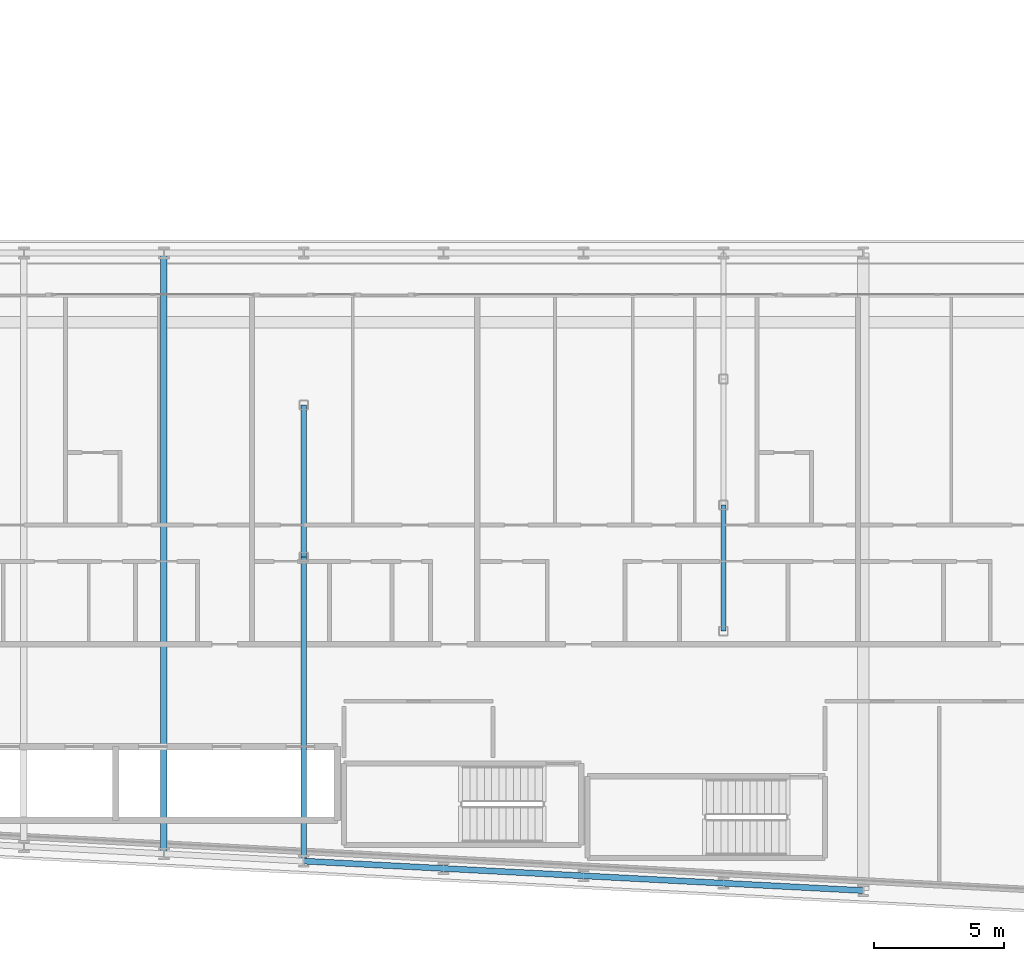
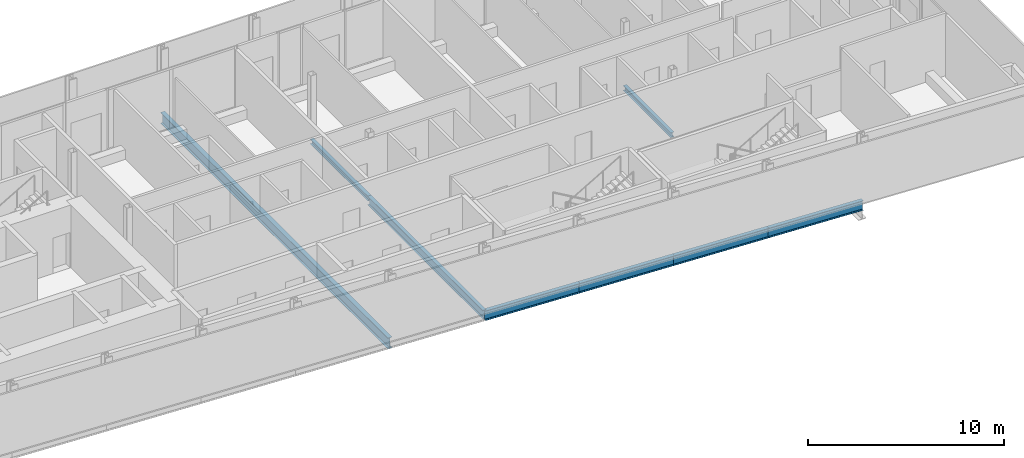
# One storey, part 5 of 25: 8 beams.
"""IFC4 building model written with IfcOpenShell, lengths in metres."""

from ifc_helpers import new_model, si_unit, direction, frame, origin, origin_2d, place, context, subcontext, project, spatial, i_section, extrude, material, material_profile, profile_set, type_object, element, save


model = new_model("IFC4")

# Units and contexts
model_context = context("Model", 3, precision=1e-05, world=origin(), true_north=direction((0.0, 1.0)))
body_context = subcontext(model_context, "Body", "Model", "MODEL_VIEW")
ifc_project = project(units=[si_unit("LENGTHUNIT", "METRE"), si_unit("AREAUNIT", "SQUARE_METRE"), si_unit("VOLUMEUNIT", "CUBIC_METRE"), si_unit("PLANEANGLEUNIT", "RADIAN"), si_unit("MASSUNIT", "GRAM", prefix="KILO")], contexts=[model_context])

# Site, building, storey
site_placement = place(None, origin())
site = spatial("IfcSite", under=ifc_project, at=site_placement, CompositionType="ELEMENT")
building_placement = place(site_placement, origin())
building = spatial("IfcBuilding", under=site, at=building_placement, Name="Kheshtan School and Residences Tower", CompositionType="ELEMENT")
storey_placement = place(building_placement, frame((0.0, 0.0, 113.60009765625)))
storey = spatial("IfcBuildingStorey", under=building, at=storey_placement, Name="L26", CompositionType="ELEMENT", Elevation=113.60009765625)

# Beams
ifc_material = material(Name="Steel ASTM A992 Grade 50", Category="steel")
ifc_material_profile_1 = material_profile(ifc_material, i_section(OverallWidth=0.202880859375, OverallDepth=0.302978515625, WebThickness=0.007568359375, FlangeThickness=0.01318359375, FilletRadius=0.009033203125, at=origin_2d()), Name="W310x60")
ifc_profile_set_1 = profile_set([ifc_material_profile_1], Name="Steel ASTM A992 Grade 50")
beam_type_1 = type_object("IfcBeamType", Name="Beam FB1 W310x60 ASTM A992 Grade 50", PredefinedType="BEAM", material=ifc_profile_set_1)
beam_1_placement = place(storey_placement, frame((85.39990234375, 31.0048828125, -0.301513671875), z_axis=(0.0, 1.0, 0.0), x_axis=(-1.0, 0.0, 0.0)))
element("IfcBeam", 1, at=beam_1_placement, inside=storey, type_object=beam_type_1, Name="Floor beam IC", PredefinedType="BEAM", context=body_context, shape_type="SweptSolid", body=[
    extrude(i_section(OverallWidth=0.202880859375, OverallDepth=0.302978515625, WebThickness=0.007568359375, FlangeThickness=0.01318359375, FilletRadius=0.009033203125, at=origin_2d()), origin(), (0.0, 0.0, 1.0), 4.865234375),
])
beam_2_placement = place(storey_placement, frame((69.199951171875, 33.863037109375, -0.301513671875), z_axis=(0.0, 1.0, 0.0), x_axis=(-1.0, 0.0, 0.0)))
element("IfcBeam", 2, at=beam_2_placement, inside=storey, type_object=beam_type_1, Name="Floor beam IC", PredefinedType="BEAM", context=body_context, shape_type="SweptSolid", body=[
    extrude(i_section(OverallWidth=0.202880859375, OverallDepth=0.302978515625, WebThickness=0.007568359375, FlangeThickness=0.01318359375, FilletRadius=0.009033203125, at=origin_2d()), origin(), (0.0, 0.0, 1.0), 5.868896484375),
])
ifc_material_profile_2 = material_profile(ifc_material, i_section(OverallWidth=0.208984375, OverallDepth=0.532958984375, WebThickness=0.01025390625, FlangeThickness=0.015625, FilletRadius=0.013916015625, at=origin_2d()), Name="W530x92")
ifc_profile_set_2 = profile_set([ifc_material_profile_2], Name="Steel ASTM A992 Grade 50")
beam_type_2 = type_object("IfcBeamType", Name="Beam FB4 W530x92 ASTM A992 Grade 50", PredefinedType="BEAM", material=ifc_profile_set_2)
beam_3_placement = place(storey_placement, frame((69.199951171875, 22.126953125, -0.41650390625), z_axis=(0.0, 1.0, 0.0), x_axis=(-1.0, 0.0, 0.0)))
element("IfcBeam", 3, at=beam_3_placement, inside=storey, type_object=beam_type_2, Name="Floor beam C014", PredefinedType="BEAM", context=body_context, shape_type="SweptSolid", body=[
    extrude(i_section(OverallWidth=0.208984375, OverallDepth=0.532958984375, WebThickness=0.01025390625, FlangeThickness=0.015625, FilletRadius=0.013916015625, at=origin_2d()), origin(), (0.0, 0.0, 1.0), 11.736083984375),
])
ifc_material_profile_3 = material_profile(ifc_material, i_section(OverallWidth=0.2529296875, OverallDepth=0.677978515625, WebThickness=0.01171875, FlangeThickness=0.016357421875, FilletRadius=0.0146484375, at=origin_2d()), Name="W690x125")
ifc_profile_set_3 = profile_set([ifc_material_profile_3], Name="Steel ASTM A992 Grade 50")
beam_type_3 = type_object("IfcBeamType", Name="Beam FB6 W690x125 ASTM A992 Grade 50", PredefinedType="BEAM", material=ifc_profile_set_3)
beam_4_placement = place(storey_placement, frame((63.800048828125, 45.60009765625, -0.489013671875), z_axis=(0.0, -1.0, 0.0), x_axis=(1.0, 0.0, 0.0)))
element("IfcBeam", 4, at=beam_4_placement, inside=storey, type_object=beam_type_3, Name="Floor beam C063", PredefinedType="BEAM", context=body_context, shape_type="SweptSolid", body=[
    extrude(i_section(OverallWidth=0.2529296875, OverallDepth=0.677978515625, WebThickness=0.01171875, FlangeThickness=0.016357421875, FilletRadius=0.0146484375, at=origin_2d()), origin(), (0.0, 0.0, 1.0), 23.189208984375),
])
ifc_material_profile_4 = material_profile(ifc_material, i_section(OverallWidth=0.22802734375, OverallDepth=0.60302734375, WebThickness=0.010498046875, FlangeThickness=0.014892578125, FilletRadius=0.013427734375, at=origin_2d()), Name="W610x101")
ifc_profile_set_4 = profile_set([ifc_material_profile_4], Name="Steel ASTM A992 Grade 50")
beam_type_4 = type_object("IfcBeamType", Name="Beam SP2 W610x101 ASTM A992 Grade 50", PredefinedType="BEAM", material=ifc_profile_set_4)
beam_5_placement = place(storey_placement, frame((90.800048828125, 20.989990234375, -0.45166015625), z_axis=(-0.998620571751, 0.05250670125, 0.0), x_axis=(-0.05250670125, -0.998620571751, 0.0)))
element("IfcBeam", 5, at=beam_5_placement, inside=storey, type_object=beam_type_4, Name="Spandrel beam C006-C008", PredefinedType="BEAM", context=body_context, shape_type="SweptSolid", body=[
    extrude(i_section(OverallWidth=0.22802734375, OverallDepth=0.60302734375, WebThickness=0.010498046875, FlangeThickness=0.014892578125, FilletRadius=0.013427734375, at=origin_2d()), origin(), (0.0, 0.0, 1.0), 5.40771484375),
])
for number, where, z_axis, x_axis, name in (
    (6, (85.39990234375, 21.27392578125, -0.45166015625), (-0.998618078766, 0.052554093665, 0.0), (-0.052554093665, -0.998618078766, 0.0), "Spandrel beam C008-C012"),
    (7, (80.0, 21.55810546875, -0.45166015625), (-0.998610961136, 0.052689166816, 0.0), (-0.052689166816, -0.998610961136, 0.0), "Spandrel beam C012-C013"),
):
    element("IfcBeam", number, at=place(storey_placement, frame(where, z_axis=z_axis, x_axis=x_axis)), inside=storey, type_object=beam_type_4, Name=name, PredefinedType="BEAM", context=body_context, shape_type="SweptSolid", body=[
        extrude(i_section(OverallWidth=0.22802734375, OverallDepth=0.60302734375, WebThickness=0.010498046875, FlangeThickness=0.014892578125, FilletRadius=0.013427734375, at=origin_2d()), origin(), (0.0, 0.0, 1.0), 5.407470703125),
    ])
beam_6_placement = place(storey_placement, frame((74.60009765625, 21.843017578125, -0.45166015625), z_axis=(-0.998620571751, 0.05250670125, 0.0), x_axis=(-0.05250670125, -0.998620571751, 0.0)))
element("IfcBeam", 8, at=beam_6_placement, inside=storey, type_object=beam_type_4, Name="Spandrel beam C013-C014", PredefinedType="BEAM", context=body_context, shape_type="SweptSolid", body=[
    extrude(i_section(OverallWidth=0.22802734375, OverallDepth=0.60302734375, WebThickness=0.010498046875, FlangeThickness=0.014892578125, FilletRadius=0.013427734375, at=origin_2d()), origin(), (0.0, 0.0, 1.0), 5.40771484375),
])

save(model, "model.ifc")
